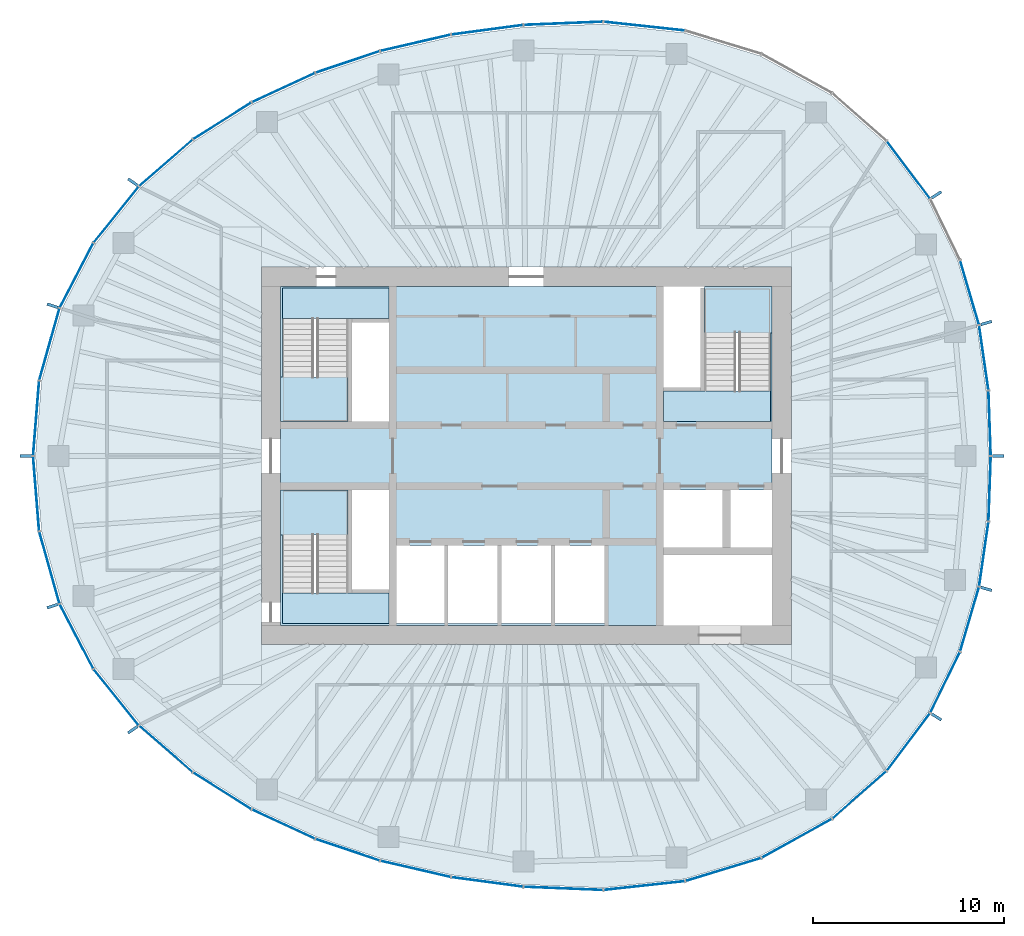
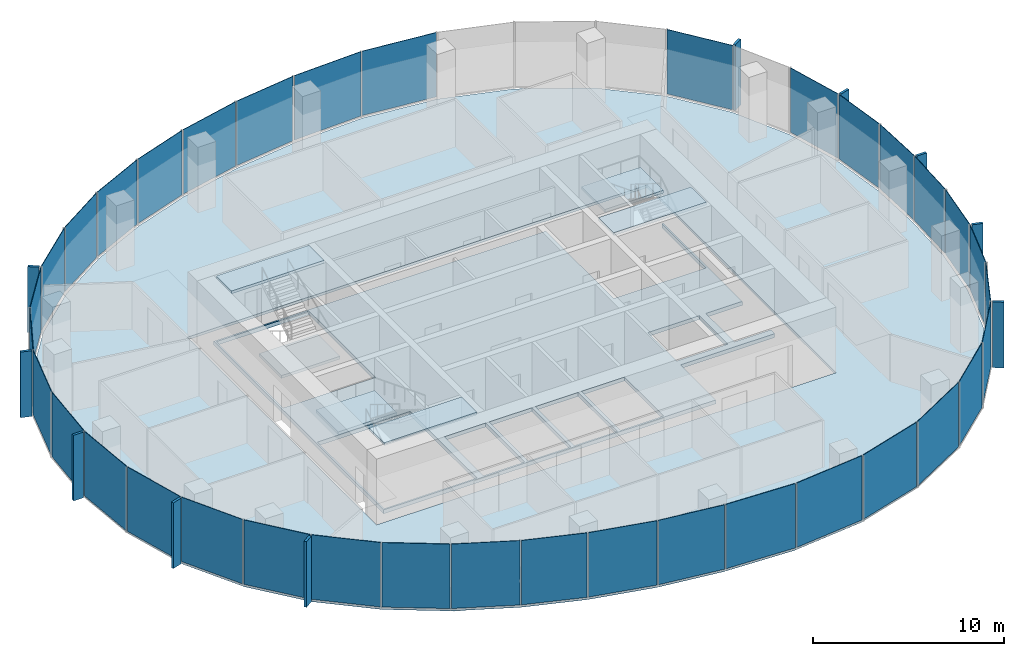
# One storey, part 7 of 11: 46 plates, 8 slabs, 22 elements without a shape of their own.
"""IFC4 building model written with IfcOpenShell, lengths in metres."""

from ifc_helpers import new_model, si_unit, direction, frame, origin, origin_2d, place, context, subcontext, project, spatial, polyline, rectangle, outline, extrude, material, layer, layer_set, type_object, element, aggregate, save


model = new_model("IFC4")

# Units and contexts
model_context = context("Model", 3, precision=1e-05, world=origin(), true_north=direction((0.0, 1.0)))
body_context = subcontext(model_context, "Body", "Model", "MODEL_VIEW")
ifc_project = project(units=[si_unit("LENGTHUNIT", "METRE"), si_unit("AREAUNIT", "SQUARE_METRE"), si_unit("VOLUMEUNIT", "CUBIC_METRE"), si_unit("PLANEANGLEUNIT", "RADIAN"), si_unit("MASSUNIT", "GRAM", prefix="KILO")], contexts=[model_context])

# Site, building, storey
site_placement = place(None, origin())
site = spatial("IfcSite", under=ifc_project, at=site_placement, CompositionType="ELEMENT")
building_placement = place(site_placement, origin())
building = spatial("IfcBuilding", under=site, at=building_placement, Name="Ghaith Harvest Tower", CompositionType="ELEMENT")
storey_placement = place(building_placement, frame((0.0, 0.0, 292.199951171875)))
storey = spatial("IfcBuildingStorey", under=building, at=storey_placement, Name="L65", CompositionType="ELEMENT", Elevation=292.199951171875)

# Curtain wall, plates
ifc_material_1 = material(Name="Black anodised aluminium and fritted glass", Category="aluminium")
curtain_wall_type = type_object("IfcCurtainWallType", Name="CW-T CURTAIN WALL", PredefinedType="NOTDEFINED", material=ifc_material_1)
curtain_wall_1_placement = place(storey_placement, origin())
curtain_wall_1 = element("IfcCurtainWall", 1, at=curtain_wall_1_placement, inside=storey, type_object=curtain_wall_type, Name="Curtain wall CW-T bay 01 L65", PredefinedType="NOTDEFINED")
ifc_material_2 = material(Name="Glass, dark solar-control fritted double glazed unit", Category="glass")
ifc_layer_1 = layer(ifc_material_2, 0.033935546875)
ifc_layer_set_1 = layer_set([ifc_layer_1], Name="CW-T VISION PANEL")
plate_type_1 = type_object("IfcPlateType", Name="CW-T VISION PANEL", PredefinedType="CURTAIN_PANEL", material=ifc_layer_set_1)
plate_1_placement = place(storey_placement, frame((24.308837890625, 1.716796875, 0.080078125), z_axis=(0.0, 0.0, 1.0), x_axis=(-0.035536161859, 0.999368391135, 0.0)))
plate_1 = element("IfcPlate", 2, at=plate_1_placement, type_object=plate_type_1, Name="CW-T glass unit 1 bay 01 L65", PredefinedType="CURTAIN_PANEL", context=body_context, shape_type="SweptSolid", body=[
    extrude(rectangle(XDim=3.35595703125, YDim=0.033935546875, at=origin_2d()), origin(), (0.0, 0.0, 1.0), 4.1201171875),
])
plate_2_placement = place(storey_placement, frame((24.00048828125, 5.1494140625, 0.080078125), z_axis=(0.0, 0.0, 1.0), x_axis=(-0.142729771229, 0.989761694755, 0.0)))
plate_2 = element("IfcPlate", 3, at=plate_2_placement, type_object=plate_type_1, Name="CW-T glass unit 2 bay 01 L65", PredefinedType="CURTAIN_PANEL", context=body_context, shape_type="SweptSolid", body=[
    extrude(rectangle(XDim=3.38671875, YDim=0.033935546875, at=origin_2d()), origin(), (0.0, 0.0, 1.0), 4.1201171875),
])
aggregate(curtain_wall_1, [plate_1, plate_2])

# Curtain wall, plate
curtain_wall_2_placement = place(storey_placement, origin())
curtain_wall_2 = element("IfcCurtainWall", 4, at=curtain_wall_2_placement, inside=storey, type_object=curtain_wall_type, Name="Curtain wall CW-T bay 02 L65", PredefinedType="NOTDEFINED")
plate_3_placement = place(storey_placement, frame((23.253662109375, 8.56884765625, 0.080078125), z_axis=(0.0, 0.0, 1.0), x_axis=(-0.281344622776, 0.959606796159, 0.0)))
plate_3 = element("IfcPlate", 5, at=plate_3_placement, type_object=plate_type_1, Name="CW-T glass unit 1 bay 02 L65", PredefinedType="CURTAIN_PANEL", context=body_context, shape_type="SweptSolid", body=[
    extrude(rectangle(XDim=3.470703125, YDim=0.033935546875, at=origin_2d()), origin(), (0.0, 0.0, 1.0), 4.1201171875),
])
aggregate(curtain_wall_2, [plate_3])

curtain_wall_3_placement = place(storey_placement, origin())
curtain_wall_3 = element("IfcCurtainWall", 6, at=curtain_wall_3_placement, inside=storey, type_object=curtain_wall_type, Name="Curtain wall CW-T bay 03 L65", PredefinedType="NOTDEFINED")
plate_4_placement = place(storey_placement, frame((20.045166015625, 15.006103515625, 0.080078125), z_axis=(0.0, 0.0, 1.0), x_axis=(-0.601047892764, 0.799213007029, 0.0)))
plate_4 = element("IfcPlate", 7, at=plate_4_placement, type_object=plate_type_1, Name="CW-T glass unit 1 bay 03 L65", PredefinedType="CURTAIN_PANEL", context=body_context, shape_type="SweptSolid", body=[
    extrude(rectangle(XDim=3.7265625, YDim=0.033935546875, at=origin_2d()), origin(), (0.0, 0.0, 1.0), 4.1201171875),
])
aggregate(curtain_wall_3, [plate_4])

# Curtain wall, plates
curtain_wall_4_placement = place(storey_placement, origin())
curtain_wall_4 = element("IfcCurtainWall", 8, at=curtain_wall_4_placement, inside=storey, type_object=curtain_wall_type, Name="Curtain wall CW-T bay 05 L65", PredefinedType="NOTDEFINED")
plate_5_placement = place(storey_placement, frame((6.188720703125, 22.542724609375, 0.080078125), z_axis=(0.0, 0.0, 1.0), x_axis=(-0.994142883447, 0.108073712304, 0.0)))
plate_5 = element("IfcPlate", 9, at=plate_5_placement, type_object=plate_type_1, Name="CW-T glass unit 1 bay 05 L65", PredefinedType="CURTAIN_PANEL", context=body_context, shape_type="SweptSolid", body=[
    extrude(rectangle(XDim=4.24755859375, YDim=0.033935546875, at=origin_2d()), origin(), (0.0, 0.0, 1.0), 4.1201171875),
])
plate_6_placement = place(storey_placement, frame((1.94140625, 22.691162109375, 0.080078125), z_axis=(0.0, 0.0, 1.0), x_axis=(-0.999173925852, -0.040638231968, 0.0)))
plate_6 = element("IfcPlate", 10, at=plate_6_placement, type_object=plate_type_1, Name="CW-T glass unit 2 bay 05 L65", PredefinedType="CURTAIN_PANEL", context=body_context, shape_type="SweptSolid", body=[
    extrude(rectangle(XDim=4.115966796875, YDim=0.033935546875, at=origin_2d()), origin(), (0.0, 0.0, 1.0), 4.1201171875),
])
aggregate(curtain_wall_4, [plate_5, plate_6])

curtain_wall_5_placement = place(storey_placement, origin())
curtain_wall_5 = element("IfcCurtainWall", 11, at=curtain_wall_5_placement, inside=storey, type_object=curtain_wall_type, Name="Curtain wall CW-T bay 06 L65", PredefinedType="NOTDEFINED")
plate_7_placement = place(storey_placement, frame((-2.050537109375, 22.352294921875, 0.080078125), z_axis=(0.0, 0.0, 1.0), x_axis=(-0.991165262661, -0.132632658474, 0.0)))
plate_7 = element("IfcPlate", 12, at=plate_7_placement, type_object=plate_type_1, Name="CW-T glass unit 1 bay 06 L65", PredefinedType="CURTAIN_PANEL", context=body_context, shape_type="SweptSolid", body=[
    extrude(rectangle(XDim=3.74560546875, YDim=0.033935546875, at=origin_2d()), origin(), (0.0, 0.0, 1.0), 4.1201171875),
])
plate_8_placement = place(storey_placement, frame((-5.80859375, 21.66845703125, 0.080078125), z_axis=(0.0, 0.0, 1.0), x_axis=(-0.974342245415, -0.225071519297, 0.0)))
plate_8 = element("IfcPlate", 13, at=plate_8_placement, type_object=plate_type_1, Name="CW-T glass unit 2 bay 06 L65", PredefinedType="CURTAIN_PANEL", context=body_context, shape_type="SweptSolid", body=[
    extrude(rectangle(XDim=3.742431640625, YDim=0.033935546875, at=origin_2d()), origin(), (0.0, 0.0, 1.0), 4.1201171875),
])
aggregate(curtain_wall_5, [plate_7, plate_8])

curtain_wall_6_placement = place(storey_placement, origin())
curtain_wall_6 = element("IfcCurtainWall", 14, at=curtain_wall_6_placement, inside=storey, type_object=curtain_wall_type, Name="Curtain wall CW-T bay 07 L65", PredefinedType="NOTDEFINED")
plate_9_placement = place(storey_placement, frame((-9.369140625, 20.665771484375, 0.080078125), z_axis=(0.0, 0.0, 1.0), x_axis=(-0.947586403329, -0.319499621637, 0.0)))
plate_9 = element("IfcPlate", 15, at=plate_9_placement, type_object=plate_type_1, Name="CW-T glass unit 1 bay 07 L65", PredefinedType="CURTAIN_PANEL", context=body_context, shape_type="SweptSolid", body=[
    extrude(rectangle(XDim=3.50439453125, YDim=0.033935546875, at=origin_2d()), origin(), (0.0, 0.0, 1.0), 4.1201171875),
])
plate_10_placement = place(storey_placement, frame((-12.736083984375, 19.3203125, 0.080078125), z_axis=(0.0, 0.0, 1.0), x_axis=(-0.907450165401, -0.420159728334, 0.0)))
plate_10 = element("IfcPlate", 16, at=plate_10_placement, type_object=plate_type_1, Name="CW-T glass unit 2 bay 07 L65", PredefinedType="CURTAIN_PANEL", context=body_context, shape_type="SweptSolid", body=[
    extrude(rectangle(XDim=3.597900390625, YDim=0.033935546875, at=origin_2d()), origin(), (0.0, 0.0, 1.0), 4.1201171875),
])
aggregate(curtain_wall_6, [plate_9, plate_10])

curtain_wall_7_placement = place(storey_placement, origin())
curtain_wall_7 = element("IfcCurtainWall", 17, at=curtain_wall_7_placement, inside=storey, type_object=curtain_wall_type, Name="Curtain wall CW-T bay 08 L65", PredefinedType="NOTDEFINED")
plate_11_placement = place(storey_placement, frame((-15.94970703125, 17.57421875, 0.080078125), z_axis=(0.0, 0.0, 1.0), x_axis=(-0.846043473903, -0.533113909279, 0.0)))
plate_11 = element("IfcPlate", 18, at=plate_11_placement, type_object=plate_type_1, Name="CW-T glass unit 1 bay 08 L65", PredefinedType="CURTAIN_PANEL", context=body_context, shape_type="SweptSolid", body=[
    extrude(rectangle(XDim=3.572021484375, YDim=0.033935546875, at=origin_2d()), origin(), (0.0, 0.0, 1.0), 4.1201171875),
])
plate_12_placement = place(storey_placement, frame((-18.909423828125, 15.371337890625, 0.080078125), z_axis=(0.0, 0.0, 1.0), x_axis=(-0.754828549513, -0.655922145411, 0.0)))
plate_12 = element("IfcPlate", 19, at=plate_12_placement, type_object=plate_type_1, Name="CW-T glass unit 2 bay 08 L65", PredefinedType="CURTAIN_PANEL", context=body_context, shape_type="SweptSolid", body=[
    extrude(rectangle(XDim=3.668701171875, YDim=0.033935546875, at=origin_2d()), origin(), (0.0, 0.0, 1.0), 4.1201171875),
])
aggregate(curtain_wall_7, [plate_11, plate_12])

curtain_wall_8_placement = place(storey_placement, origin())
curtain_wall_8 = element("IfcCurtainWall", 20, at=curtain_wall_8_placement, inside=storey, type_object=curtain_wall_type, Name="Curtain wall CW-T bay 09 L65", PredefinedType="NOTDEFINED")
plate_13_placement = place(storey_placement, frame((-21.515380859375, 12.6591796875, 0.080078125), z_axis=(0.0, 0.0, 1.0), x_axis=(-0.626229505742, -0.779638766441, 0.0)))
plate_13 = element("IfcPlate", 21, at=plate_13_placement, type_object=plate_type_1, Name="CW-T glass unit 1 bay 09 L65", PredefinedType="CURTAIN_PANEL", context=body_context, shape_type="SweptSolid", body=[
    extrude(rectangle(XDim=3.723388671875, YDim=0.033935546875, at=origin_2d()), origin(), (0.0, 0.0, 1.0), 4.1201171875),
])
plate_14_placement = place(storey_placement, frame((-23.594482421875, 9.4677734375, 0.080078125), z_axis=(0.0, 0.0, 1.0), x_axis=(-0.461229945578, -0.887280641794, 0.0)))
plate_14 = element("IfcPlate", 22, at=plate_14_placement, type_object=plate_type_1, Name="CW-T glass unit 2 bay 09 L65", PredefinedType="CURTAIN_PANEL", context=body_context, shape_type="SweptSolid", body=[
    extrude(rectangle(XDim=3.771728515625, YDim=0.033935546875, at=origin_2d()), origin(), (0.0, 0.0, 1.0), 4.1201171875),
])
aggregate(curtain_wall_8, [plate_13, plate_14])

curtain_wall_9_placement = place(storey_placement, origin())
curtain_wall_9 = element("IfcCurtainWall", 23, at=curtain_wall_9_placement, inside=storey, type_object=curtain_wall_type, Name="Curtain wall CW-T bay 10 L65", PredefinedType="NOTDEFINED")
plate_15_placement = place(storey_placement, frame((-25.017333984375, 5.85546875, 0.080078125), z_axis=(0.0, 0.0, 1.0), x_axis=(-0.270355239749, -0.962760637095, 0.0)))
plate_15 = element("IfcPlate", 24, at=plate_15_placement, type_object=plate_type_1, Name="CW-T glass unit 1 bay 10 L65", PredefinedType="CURTAIN_PANEL", context=body_context, shape_type="SweptSolid", body=[
    extrude(rectangle(XDim=3.874267578125, YDim=0.033935546875, at=origin_2d()), origin(), (0.0, 0.0, 1.0), 4.1201171875),
])
plate_16_placement = place(storey_placement, frame((-25.7109375, 1.97607421875, 0.080078125), z_axis=(0.0, 0.0, 1.0), x_axis=(-0.080257648011, -0.99677415192, 0.0)))
plate_16 = element("IfcPlate", 25, at=plate_16_placement, type_object=plate_type_1, Name="CW-T glass unit 2 bay 10 L65", PredefinedType="CURTAIN_PANEL", context=body_context, shape_type="SweptSolid", body=[
    extrude(rectangle(XDim=3.884765625, YDim=0.033935546875, at=origin_2d()), origin(), (0.0, 0.0, 1.0), 4.1201171875),
])
aggregate(curtain_wall_9, [plate_15, plate_16])

curtain_wall_10_placement = place(storey_placement, origin())
curtain_wall_10 = element("IfcCurtainWall", 26, at=curtain_wall_10_placement, inside=storey, type_object=curtain_wall_type, Name="Curtain wall CW-T bay 11 L65", PredefinedType="NOTDEFINED")
plate_17_placement = place(storey_placement, frame((-25.7109375, -1.97607421875, 0.080078125), z_axis=(0.0, 0.0, 1.0), x_axis=(0.080257648324, -0.996774151895, 0.0)))
plate_17 = element("IfcPlate", 27, at=plate_17_placement, type_object=plate_type_1, Name="CW-T glass unit 1 bay 11 L65", PredefinedType="CURTAIN_PANEL", context=body_context, shape_type="SweptSolid", body=[
    extrude(rectangle(XDim=3.884765625, YDim=0.033935546875, at=origin_2d()), origin(), (0.0, 0.0, 1.0), 4.1201171875),
])
plate_18_placement = place(storey_placement, frame((-25.017333984375, -5.85546875, 0.080078125), z_axis=(0.0, 0.0, 1.0), x_axis=(0.27035523953, -0.962760637157, 0.0)))
plate_18 = element("IfcPlate", 28, at=plate_18_placement, type_object=plate_type_1, Name="CW-T glass unit 2 bay 11 L65", PredefinedType="CURTAIN_PANEL", context=body_context, shape_type="SweptSolid", body=[
    extrude(rectangle(XDim=3.874267578125, YDim=0.033935546875, at=origin_2d()), origin(), (0.0, 0.0, 1.0), 4.1201171875),
])
aggregate(curtain_wall_10, [plate_17, plate_18])

curtain_wall_11_placement = place(storey_placement, origin())
curtain_wall_11 = element("IfcCurtainWall", 29, at=curtain_wall_11_placement, inside=storey, type_object=curtain_wall_type, Name="Curtain wall CW-T bay 12 L65", PredefinedType="NOTDEFINED")
plate_19_placement = place(storey_placement, frame((-23.594482421875, -9.4677734375, 0.080078125), z_axis=(0.0, 0.0, 1.0), x_axis=(0.461229945377, -0.887280641898, 0.0)))
plate_19 = element("IfcPlate", 30, at=plate_19_placement, type_object=plate_type_1, Name="CW-T glass unit 1 bay 12 L65", PredefinedType="CURTAIN_PANEL", context=body_context, shape_type="SweptSolid", body=[
    extrude(rectangle(XDim=3.771728515625, YDim=0.033935546875, at=origin_2d()), origin(), (0.0, 0.0, 1.0), 4.1201171875),
])
plate_20_placement = place(storey_placement, frame((-21.515380859375, -12.6591796875, 0.080078125), z_axis=(0.0, 0.0, 1.0), x_axis=(0.626229505565, -0.779638766583, 0.0)))
plate_20 = element("IfcPlate", 31, at=plate_20_placement, type_object=plate_type_1, Name="CW-T glass unit 2 bay 12 L65", PredefinedType="CURTAIN_PANEL", context=body_context, shape_type="SweptSolid", body=[
    extrude(rectangle(XDim=3.723388671875, YDim=0.033935546875, at=origin_2d()), origin(), (0.0, 0.0, 1.0), 4.1201171875),
])
aggregate(curtain_wall_11, [plate_19, plate_20])

curtain_wall_12_placement = place(storey_placement, origin())
curtain_wall_12 = element("IfcCurtainWall", 32, at=curtain_wall_12_placement, inside=storey, type_object=curtain_wall_type, Name="Curtain wall CW-T bay 13 L65", PredefinedType="NOTDEFINED")
plate_21_placement = place(storey_placement, frame((-18.909423828125, -15.371337890625, 0.080078125), z_axis=(0.0, 0.0, 1.0), x_axis=(0.754828549376, -0.655922145569, 0.0)))
plate_21 = element("IfcPlate", 33, at=plate_21_placement, type_object=plate_type_1, Name="CW-T glass unit 1 bay 13 L65", PredefinedType="CURTAIN_PANEL", context=body_context, shape_type="SweptSolid", body=[
    extrude(rectangle(XDim=3.668701171875, YDim=0.033935546875, at=origin_2d()), origin(), (0.0, 0.0, 1.0), 4.1201171875),
])
plate_22_placement = place(storey_placement, frame((-15.94970703125, -17.57421875, 0.080078125), z_axis=(0.0, 0.0, 1.0), x_axis=(0.846043474052, -0.533113909042, 0.0)))
plate_22 = element("IfcPlate", 34, at=plate_22_placement, type_object=plate_type_1, Name="CW-T glass unit 2 bay 13 L65", PredefinedType="CURTAIN_PANEL", context=body_context, shape_type="SweptSolid", body=[
    extrude(rectangle(XDim=3.572021484375, YDim=0.033935546875, at=origin_2d()), origin(), (0.0, 0.0, 1.0), 4.1201171875),
])
aggregate(curtain_wall_12, [plate_21, plate_22])

curtain_wall_13_placement = place(storey_placement, origin())
curtain_wall_13 = element("IfcCurtainWall", 35, at=curtain_wall_13_placement, inside=storey, type_object=curtain_wall_type, Name="Curtain wall CW-T bay 14 L65", PredefinedType="NOTDEFINED")
plate_23_placement = place(storey_placement, frame((-12.736083984375, -19.3203125, 0.080078125), z_axis=(0.0, 0.0, 1.0), x_axis=(0.907450165812, -0.420159727447, 0.0)))
plate_23 = element("IfcPlate", 36, at=plate_23_placement, type_object=plate_type_1, Name="CW-T glass unit 1 bay 14 L65", PredefinedType="CURTAIN_PANEL", context=body_context, shape_type="SweptSolid", body=[
    extrude(rectangle(XDim=3.597900390625, YDim=0.033935546875, at=origin_2d()), origin(), (0.0, 0.0, 1.0), 4.1201171875),
])
plate_24_placement = place(storey_placement, frame((-9.369140625, -20.665771484375, 0.080078125), z_axis=(0.0, 0.0, 1.0), x_axis=(0.947586403597, -0.319499620843, 0.0)))
plate_24 = element("IfcPlate", 37, at=plate_24_placement, type_object=plate_type_1, Name="CW-T glass unit 2 bay 14 L65", PredefinedType="CURTAIN_PANEL", context=body_context, shape_type="SweptSolid", body=[
    extrude(rectangle(XDim=3.50439453125, YDim=0.033935546875, at=origin_2d()), origin(), (0.0, 0.0, 1.0), 4.1201171875),
])
aggregate(curtain_wall_13, [plate_23, plate_24])

curtain_wall_14_placement = place(storey_placement, origin())
curtain_wall_14 = element("IfcCurtainWall", 38, at=curtain_wall_14_placement, inside=storey, type_object=curtain_wall_type, Name="Curtain wall CW-T bay 15 L65", PredefinedType="NOTDEFINED")
plate_25_placement = place(storey_placement, frame((-5.80859375, -21.66845703125, 0.080078125), z_axis=(0.0, 0.0, 1.0), x_axis=(0.974342245521, -0.225071518838, 0.0)))
plate_25 = element("IfcPlate", 39, at=plate_25_placement, type_object=plate_type_1, Name="CW-T glass unit 1 bay 15 L65", PredefinedType="CURTAIN_PANEL", context=body_context, shape_type="SweptSolid", body=[
    extrude(rectangle(XDim=3.742431640625, YDim=0.033935546875, at=origin_2d()), origin(), (0.0, 0.0, 1.0), 4.1201171875),
])
plate_26_placement = place(storey_placement, frame((-2.050537109375, -22.352294921875, 0.080078125), z_axis=(0.0, 0.0, 1.0), x_axis=(0.991165262684, -0.132632658301, 0.0)))
plate_26 = element("IfcPlate", 40, at=plate_26_placement, type_object=plate_type_1, Name="CW-T glass unit 2 bay 15 L65", PredefinedType="CURTAIN_PANEL", context=body_context, shape_type="SweptSolid", body=[
    extrude(rectangle(XDim=3.74560546875, YDim=0.033935546875, at=origin_2d()), origin(), (0.0, 0.0, 1.0), 4.1201171875),
])
aggregate(curtain_wall_14, [plate_25, plate_26])

curtain_wall_15_placement = place(storey_placement, origin())
curtain_wall_15 = element("IfcCurtainWall", 41, at=curtain_wall_15_placement, inside=storey, type_object=curtain_wall_type, Name="Curtain wall CW-T bay 16 L65", PredefinedType="NOTDEFINED")
plate_27_placement = place(storey_placement, frame((1.94140625, -22.691162109375, 0.080078125), z_axis=(0.0, 0.0, 1.0), x_axis=(0.999173925863, -0.040638231706, 0.0)))
plate_27 = element("IfcPlate", 42, at=plate_27_placement, type_object=plate_type_1, Name="CW-T glass unit 1 bay 16 L65", PredefinedType="CURTAIN_PANEL", context=body_context, shape_type="SweptSolid", body=[
    extrude(rectangle(XDim=4.115966796875, YDim=0.033935546875, at=origin_2d()), origin(), (0.0, 0.0, 1.0), 4.1201171875),
])
plate_28_placement = place(storey_placement, frame((6.188720703125, -22.542724609375, 0.080078125), z_axis=(0.0, 0.0, 1.0), x_axis=(0.994142883417, 0.108073712581, 0.0)))
plate_28 = element("IfcPlate", 43, at=plate_28_placement, type_object=plate_type_1, Name="CW-T glass unit 2 bay 16 L65", PredefinedType="CURTAIN_PANEL", context=body_context, shape_type="SweptSolid", body=[
    extrude(rectangle(XDim=4.24755859375, YDim=0.033935546875, at=origin_2d()), origin(), (0.0, 0.0, 1.0), 4.1201171875),
])
aggregate(curtain_wall_15, [plate_27, plate_28])

curtain_wall_16_placement = place(storey_placement, origin())
curtain_wall_16 = element("IfcCurtainWall", 44, at=curtain_wall_16_placement, inside=storey, type_object=curtain_wall_type, Name="Curtain wall CW-T bay 17 L65", PredefinedType="NOTDEFINED")
plate_29_placement = place(storey_placement, frame((10.337158203125, -21.700439453125, 0.080078125), z_axis=(0.0, 0.0, 1.0), x_axis=(0.956587736012, 0.291444511548, 0.0)))
plate_29 = element("IfcPlate", 45, at=plate_29_placement, type_object=plate_type_1, Name="CW-T glass unit 1 bay 17 L65", PredefinedType="CURTAIN_PANEL", context=body_context, shape_type="SweptSolid", body=[
    extrude(rectangle(XDim=4.095703125, YDim=0.033935546875, at=origin_2d()), origin(), (0.0, 0.0, 1.0), 4.1201171875),
])
plate_30_placement = place(storey_placement, frame((14.19189453125, -20.06201171875, 0.080078125), z_axis=(0.0, 0.0, 1.0), x_axis=(0.874564022715, 0.484910064004, 0.0)))
plate_30 = element("IfcPlate", 46, at=plate_30_placement, type_object=plate_type_1, Name="CW-T glass unit 2 bay 17 L65", PredefinedType="CURTAIN_PANEL", context=body_context, shape_type="SweptSolid", body=[
    extrude(rectangle(XDim=4.167724609375, YDim=0.033935546875, at=origin_2d()), origin(), (0.0, 0.0, 1.0), 4.1201171875),
])
aggregate(curtain_wall_16, [plate_29, plate_30])

curtain_wall_17_placement = place(storey_placement, origin())
curtain_wall_17 = element("IfcCurtainWall", 47, at=curtain_wall_17_placement, inside=storey, type_object=curtain_wall_type, Name="Curtain wall CW-T bay 18 L65", PredefinedType="NOTDEFINED")
plate_31_placement = place(storey_placement, frame((17.47509765625, -17.779541015625, 0.080078125), z_axis=(0.0, 0.0, 1.0), x_axis=(0.751334532577, 0.659921525757, 0.0)))
plate_31 = element("IfcPlate", 48, at=plate_31_placement, type_object=plate_type_1, Name="CW-T glass unit 1 bay 18 L65", PredefinedType="CURTAIN_PANEL", context=body_context, shape_type="SweptSolid", body=[
    extrude(rectangle(XDim=3.7158203125, YDim=0.033935546875, at=origin_2d()), origin(), (0.0, 0.0, 1.0), 4.1201171875),
])
plate_32_placement = place(storey_placement, frame((20.045166015625, -15.006103515625, 0.080078125), z_axis=(0.0, 0.0, 1.0), x_axis=(0.601047892945, 0.799213006892, 0.0)))
plate_32 = element("IfcPlate", 49, at=plate_32_placement, type_object=plate_type_1, Name="CW-T glass unit 2 bay 18 L65", PredefinedType="CURTAIN_PANEL", context=body_context, shape_type="SweptSolid", body=[
    extrude(rectangle(XDim=3.7265625, YDim=0.033935546875, at=origin_2d()), origin(), (0.0, 0.0, 1.0), 4.1201171875),
])
aggregate(curtain_wall_17, [plate_31, plate_32])

curtain_wall_18_placement = place(storey_placement, origin())
curtain_wall_18 = element("IfcCurtainWall", 50, at=curtain_wall_18_placement, inside=storey, type_object=curtain_wall_type, Name="Curtain wall CW-T bay 19 L65", PredefinedType="NOTDEFINED")
plate_33_placement = place(storey_placement, frame((21.9716796875, -11.878662109375, 0.080078125), z_axis=(0.0, 0.0, 1.0), x_axis=(0.437968365352, 0.898990384237, 0.0)))
plate_33 = element("IfcPlate", 51, at=plate_33_placement, type_object=plate_type_1, Name="CW-T glass unit 1 bay 19 L65", PredefinedType="CURTAIN_PANEL", context=body_context, shape_type="SweptSolid", body=[
    extrude(rectangle(XDim=3.49365234375, YDim=0.033935546875, at=origin_2d()), origin(), (0.0, 0.0, 1.0), 4.1201171875),
])
plate_34_placement = place(storey_placement, frame((23.253662109375, -8.56884765625, 0.080078125), z_axis=(0.0, 0.0, 1.0), x_axis=(0.281344622977, 0.9596067961, 0.0)))
plate_34 = element("IfcPlate", 52, at=plate_34_placement, type_object=plate_type_1, Name="CW-T glass unit 2 bay 19 L65", PredefinedType="CURTAIN_PANEL", context=body_context, shape_type="SweptSolid", body=[
    extrude(rectangle(XDim=3.470703125, YDim=0.033935546875, at=origin_2d()), origin(), (0.0, 0.0, 1.0), 4.1201171875),
])
aggregate(curtain_wall_18, [plate_33, plate_34])

curtain_wall_19_placement = place(storey_placement, origin())
curtain_wall_19 = element("IfcCurtainWall", 53, at=curtain_wall_19_placement, inside=storey, type_object=curtain_wall_type, Name="Curtain wall CW-T bay 20 L65", PredefinedType="NOTDEFINED")
plate_35_placement = place(storey_placement, frame((24.00048828125, -5.1494140625, 0.080078125), z_axis=(0.0, 0.0, 1.0), x_axis=(0.142729771402, 0.98976169473, 0.0)))
plate_35 = element("IfcPlate", 54, at=plate_35_placement, type_object=plate_type_1, Name="CW-T glass unit 1 bay 20 L65", PredefinedType="CURTAIN_PANEL", context=body_context, shape_type="SweptSolid", body=[
    extrude(rectangle(XDim=3.38671875, YDim=0.033935546875, at=origin_2d()), origin(), (0.0, 0.0, 1.0), 4.1201171875),
])
plate_36_placement = place(storey_placement, frame((24.308837890625, -1.716796875, 0.080078125), z_axis=(0.0, 0.0, 1.0), x_axis=(0.035536161929, 0.999368391133, 0.0)))
plate_36 = element("IfcPlate", 55, at=plate_36_placement, type_object=plate_type_1, Name="CW-T glass unit 2 bay 20 L65", PredefinedType="CURTAIN_PANEL", context=body_context, shape_type="SweptSolid", body=[
    extrude(rectangle(XDim=3.35595703125, YDim=0.033935546875, at=origin_2d()), origin(), (0.0, 0.0, 1.0), 4.1201171875),
])
aggregate(curtain_wall_19, [plate_35, plate_36])

# Slabs
ifc_material_3 = material(Name="Concrete C40/50", Category="concrete")
ifc_layer_2 = layer(ifc_material_3, 0.169921875)
ifc_layer_set_2 = layer_set([ifc_layer_2], Name="FLOOR SLAB 170")
slab_type_1 = type_object("IfcSlabType", Name="FLOOR SLAB 170", PredefinedType="FLOOR", material=ifc_layer_set_2)
slab_1_placement = place(storey_placement, frame((0.0, 0.0, -0.169921875)))
element("IfcSlab", 56, at=slab_1_placement, inside=storey, type_object=slab_type_1, Name="Floor slab L65", PredefinedType="FLOOR", context=body_context, shape_type="SweptSolid", body=[
    extrude(outline(polyline([(24.25, 0.0), (24.129150390625, 3.4169921875), (23.6376953125, 6.831787109375), (22.644775390625, 10.222900390625), (21.087890625, 13.42041015625), (18.810791015625, 16.4482421875), (15.971923828125, 18.940185546875), (12.273681640625, 20.98828125), (8.2978515625, 22.1962890625), (4.016845703125, 22.658447265625), (-0.15380859375, 22.486083984375), (-3.92529296875, 21.98046875), (-7.6298828125, 21.12548828125), (-11.009521484375, 19.98779296875), (-14.331298828125, 18.452880859375), (-17.40771484375, 16.518310546875), (-20.225830078125, 14.0732421875), (-22.5986328125, 11.12353515625), (-24.368408203125, 7.722900390625), (-25.43310546875, 3.93359375), (-25.75, 0.0), (-25.43310546875, -3.93359375), (-24.368408203125, -7.722900390625), (-22.5986328125, -11.12353515625), (-20.225830078125, -14.0732421875), (-17.40771484375, -16.518310546875), (-14.331298828125, -18.452880859375), (-11.009521484375, -19.98779296875), (-7.6298828125, -21.12548828125), (-3.92529296875, -21.98046875), (-0.15380859375, -22.486083984375), (4.016845703125, -22.658447265625), (8.2978515625, -22.1962890625), (12.273681640625, -20.98828125), (15.971923828125, -18.940185546875), (18.810791015625, -16.4482421875), (21.087890625, -13.42041015625), (22.644775390625, -10.222900390625), (23.6376953125, -6.831787109375), (24.129150390625, -3.4169921875), (24.25, 0.0)]), holes=[polyline([(-13.89990234375, -9.89990234375), (13.89990234375, -9.89990234375), (13.89990234375, 9.89990234375), (-13.89990234375, 9.89990234375), (-13.89990234375, -9.89990234375)])]), origin(), (0.0, 0.0, 1.0), 0.169921875),
])
ifc_material_4 = material(Name="Concrete C40/50", Category="concrete")
ifc_layer_3 = layer(ifc_material_4, 0.25)
ifc_layer_set_3 = layer_set([ifc_layer_3], Name="FLOOR SLAB 250")
slab_type_2 = type_object("IfcSlabType", Name="FLOOR SLAB 250", PredefinedType="FLOOR", material=ifc_layer_set_3)
slab_2_placement = place(storey_placement, frame((0.0, 0.0, -0.25)))
element("IfcSlab", 57, at=slab_2_placement, inside=storey, type_object=slab_type_2, Name="Core slab L65", PredefinedType="FLOOR", context=body_context, shape_type="SweptSolid", body=[
    extrude(outline(polyline([(-12.89990234375, 8.89990234375), (7.199951171875, 8.89990234375), (7.199951171875, 1.800048828125), (12.800048828125, 1.800048828125), (12.800048828125, 6.4599609375), (12.89990234375, 6.4599609375), (12.89990234375, -1.800048828125), (10.699951171875, -1.800048828125), (10.699951171875, -4.800048828125), (12.89990234375, -4.800048828125), (12.89990234375, -5.199951171875), (7.199951171875, -5.199951171875), (7.199951171875, -8.89990234375), (-12.89990234375, -8.89990234375), (-12.89990234375, 8.89990234375)]), holes=[polyline([(-4.300048828125, -4.699951171875), (-6.800048828125, -4.699951171875), (-6.800048828125, -8.800048828125), (-4.300048828125, -8.800048828125), (-4.300048828125, -4.699951171875)]), polyline([(-1.5, -4.699951171875), (-4.10009765625, -4.699951171875), (-4.10009765625, -8.800048828125), (-1.5, -8.800048828125), (-1.5, -4.699951171875)]), polyline([(1.300048828125, -8.800048828125), (1.300048828125, -4.699951171875), (-1.300048828125, -4.699951171875), (-1.300048828125, -8.800048828125), (1.300048828125, -8.800048828125)]), polyline([(4.10009765625, -8.800048828125), (4.10009765625, -4.699951171875), (1.5, -4.699951171875), (1.5, -8.800048828125), (4.10009765625, -8.800048828125)]), polyline([(-7.199951171875, -1.800048828125), (-12.800048828125, -1.800048828125), (-12.800048828125, -8.800048828125), (-7.199951171875, -8.800048828125), (-7.199951171875, -1.800048828125)]), polyline([(10.300048828125, -1.800048828125), (7.199951171875, -1.800048828125), (7.199951171875, -4.800048828125), (10.300048828125, -4.800048828125), (10.300048828125, -1.800048828125)]), polyline([(-12.800048828125, 1.800048828125), (-7.199951171875, 1.800048828125), (-7.199951171875, 8.800048828125), (-12.800048828125, 8.800048828125), (-12.800048828125, 1.800048828125)])]), origin(), (0.0, 0.0, 1.0), 0.25),
])

# Stair, slabs
ifc_material_5 = material(Name="Concrete C40/50, precast", Category="concrete")
stair_type = type_object("IfcStairType", Name="CORE STAIR 24R", PredefinedType="HALF_TURN_STAIR", material=ifc_material_5)
stair_1_placement = place(storey_placement, origin())
stair_1 = element("IfcStair", 58, at=stair_1_placement, inside=storey, type_object=stair_type, Name="Stair ST1 L65", PredefinedType="HALF_TURN_STAIR")
ifc_material_6 = material(Name="Concrete C40/50, precast", Category="concrete")
ifc_layer_4 = layer(ifc_material_6, 0.179931640625)
ifc_layer_set_4 = layer_set([ifc_layer_4], Name="STAIR LANDING 180")
slab_type_3 = type_object("IfcSlabType", Name="STAIR LANDING 180", PredefinedType="LANDING", material=ifc_layer_set_4)
slab_3_placement = place(storey_placement, frame((0.0, 0.0, 1.920166015625)))
slab_3 = element("IfcSlab", 59, at=slab_3_placement, type_object=slab_type_3, Name="ST1 landing 1", PredefinedType="LANDING", context=body_context, shape_type="SweptSolid", body=[
    extrude(outline(polyline([(-12.89990234375, 4.139892578125), (-12.89990234375, 1.800048828125), (-9.35009765625, 1.800048828125), (-9.35009765625, 4.139892578125), (-12.89990234375, 4.139892578125)])), origin(), (0.0, 0.0, 1.0), 0.179931640625),
])
slab_4_placement = place(storey_placement, frame((0.0, 0.0, 4.02001953125)))
slab_4 = element("IfcSlab", 60, at=slab_4_placement, type_object=slab_type_3, Name="ST1 landing 2", PredefinedType="LANDING", context=body_context, shape_type="SweptSolid", body=[
    extrude(outline(polyline([(-12.800048828125, 8.800048828125), (-12.800048828125, 7.199951171875), (-7.199951171875, 7.199951171875), (-7.199951171875, 8.800048828125), (-12.800048828125, 8.800048828125)])), origin(), (0.0, 0.0, 1.0), 0.179931640625),
])
aggregate(stair_1, [slab_3, slab_4])

stair_2_placement = place(storey_placement, origin())
stair_2 = element("IfcStair", 61, at=stair_2_placement, inside=storey, type_object=stair_type, Name="Stair ST3 L65", PredefinedType="HALF_TURN_STAIR")
slab_5_placement = place(storey_placement, frame((0.0, 0.0, 1.920166015625)))
slab_5 = element("IfcSlab", 62, at=slab_5_placement, type_object=slab_type_3, Name="ST3 landing 1", PredefinedType="LANDING", context=body_context, shape_type="SweptSolid", body=[
    extrude(outline(polyline([(-12.89990234375, -4.139892578125), (-12.89990234375, -1.800048828125), (-9.35009765625, -1.800048828125), (-9.35009765625, -4.139892578125), (-12.89990234375, -4.139892578125)])), origin(), (0.0, 0.0, 1.0), 0.179931640625),
])
slab_6_placement = place(storey_placement, frame((0.0, 0.0, 4.02001953125)))
slab_6 = element("IfcSlab", 63, at=slab_6_placement, type_object=slab_type_3, Name="ST3 landing 2", PredefinedType="LANDING", context=body_context, shape_type="SweptSolid", body=[
    extrude(outline(polyline([(-12.800048828125, -8.800048828125), (-12.800048828125, -7.199951171875), (-7.199951171875, -7.199951171875), (-7.199951171875, -8.800048828125), (-12.800048828125, -8.800048828125)])), origin(), (0.0, 0.0, 1.0), 0.179931640625),
])
aggregate(stair_2, [slab_5, slab_6])

stair_3_placement = place(storey_placement, origin())
stair_3 = element("IfcStair", 64, at=stair_3_placement, inside=storey, type_object=stair_type, Name="Stair ST2 L65", PredefinedType="HALF_TURN_STAIR")
slab_7_placement = place(storey_placement, frame((0.0, 0.0, 1.920166015625)))
slab_7 = element("IfcSlab", 65, at=slab_7_placement, type_object=slab_type_3, Name="ST2 landing 1", PredefinedType="LANDING", context=body_context, shape_type="SweptSolid", body=[
    extrude(outline(polyline([(12.89990234375, 6.4599609375), (12.89990234375, 8.89990234375), (9.35009765625, 8.89990234375), (9.35009765625, 6.4599609375), (12.89990234375, 6.4599609375)])), origin(), (0.0, 0.0, 1.0), 0.179931640625),
])
slab_8_placement = place(storey_placement, frame((0.0, 0.0, 4.02001953125)))
slab_8 = element("IfcSlab", 66, at=slab_8_placement, type_object=slab_type_3, Name="ST2 landing 2", PredefinedType="LANDING", context=body_context, shape_type="SweptSolid", body=[
    extrude(outline(polyline([(12.800048828125, 1.800048828125), (12.800048828125, 3.39990234375), (7.199951171875, 3.39990234375), (7.199951171875, 1.800048828125), (12.800048828125, 1.800048828125)])), origin(), (0.0, 0.0, 1.0), 0.179931640625),
])
aggregate(stair_3, [slab_7, slab_8])

# Plates
ifc_material_7 = material(Name="Glassfibre-reinforced concrete", Category="concrete")
ifc_layer_5 = layer(ifc_material_7, 0.14990234375)
ifc_layer_set_5 = layer_set([ifc_layer_5], Name="SUN-BREAKER FIN 600x150")
plate_type_2 = type_object("IfcPlateType", Name="SUN-BREAKER FIN 600x150", PredefinedType="USERDEFINED", material=ifc_layer_set_5)
for number, where, z_axis, x_axis, name in (
    (67, (24.760009765625, 0.0, 0.0), (0.0, 0.0, 1.0), (1.0, 0.0, 0.0), "Sun-breaker fin CW-T 1 bay 01 L65"),
    (68, (24.127685546875, 6.973388671875, 0.0), (0.0, 0.0, 1.0), (0.960680349985, 0.277656739792, 0.0), "Sun-breaker fin CW-T 1 bay 02 L65"),
    (69, (21.51806640625, 13.6943359375, 0.0), (0.0, 0.0, 1.0), (0.843643971464, 0.536903016766, 0.0), "Sun-breaker fin CW-T 1 bay 03 L65"),
    (70, (-20.64453125, 14.364501953125, 0.0), (0.0, 0.0, 1.0), (-0.820845486523, 0.571150319316, 0.0), "Sun-breaker fin CW-T 1 bay 09 L65"),
    (71, (-24.8544921875, 7.876708984375, 0.0), (0.0, 0.0, 1.0), (-0.953273219358, 0.302109531884, 0.0), "Sun-breaker fin CW-T 1 bay 10 L65"),
    (72, (-26.260009765625, 0.0, 0.0), (0.0, 0.0, 1.0), (-1.0, -4.19e-10, 0.0), "Sun-breaker fin CW-T 1 bay 11 L65"),
    (73, (-24.8544921875, -7.876708984375, 0.0), (0.0, 0.0, 1.0), (-0.953273219416, -0.302109531701, 0.0), "Sun-breaker fin CW-T 1 bay 12 L65"),
    (74, (-20.64453125, -14.364501953125, 0.0), (0.0, 0.0, 1.0), (-0.820845486622, -0.571150319173, 0.0), "Sun-breaker fin CW-T 1 bay 13 L65"),
    (75, (21.51806640625, -13.6943359375, 0.0), (0.0, 0.0, 1.0), (0.84364397137, -0.536903016913, 0.0), "Sun-breaker fin CW-T 1 bay 19 L65"),
    (76, (24.127685546875, -6.973388671875, 0.0), (0.0, 0.0, 1.0), (0.960680349932, -0.277656739976, 0.0), "Sun-breaker fin CW-T 1 bay 20 L65"),
):
    element("IfcPlate", number, at=place(storey_placement, frame(where, z_axis=z_axis, x_axis=x_axis)), inside=storey, type_object=plate_type_2, Name=name, ObjectType="SUN-BREAKER FIN", PredefinedType="USERDEFINED", context=body_context, shape_type="SweptSolid", body=[
        extrude(rectangle(XDim=0.60009765625, YDim=0.14990234375, at=origin_2d()), origin(), (0.0, 0.0, 1.0), 4.199951171875),
    ])

save(model, "model.ifc")
